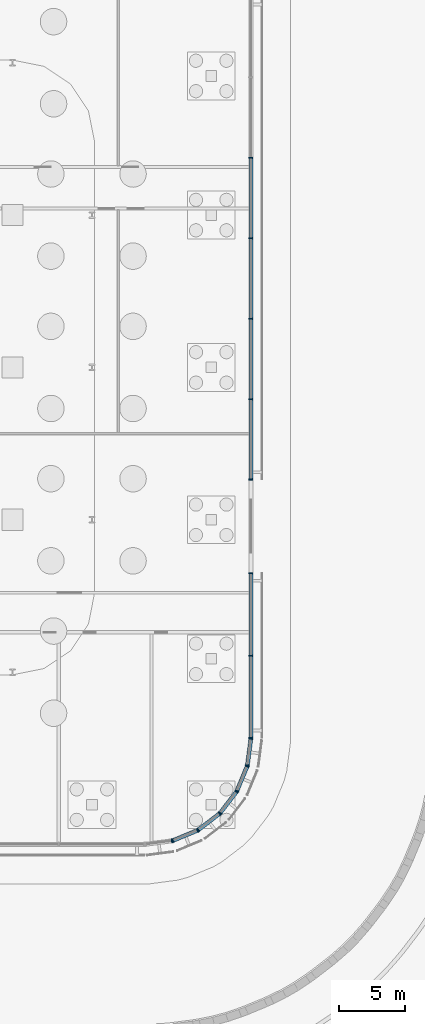
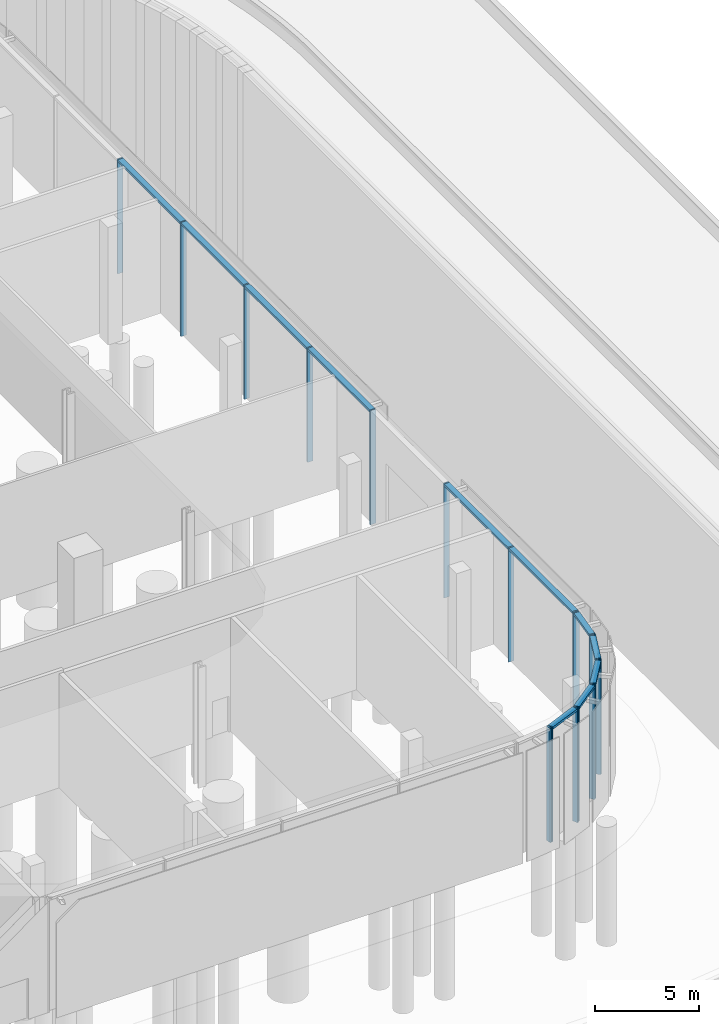
# One storey, part 12 of 48: 30 members, 8 elements without a shape of their own.
"""IFC4 building model written with IfcOpenShell, lengths in metres."""

from ifc_helpers import new_model, si_unit, direction, frame, origin, origin_2d, place, context, subcontext, project, spatial, rectangle, extrude, material, material_profile, profile_set, type_object, element, aggregate, save


model = new_model("IFC4")

# Units and contexts
model_context = context("Model", 3, precision=1e-05, world=origin(), true_north=direction((0.0, 1.0)))
body_context = subcontext(model_context, "Body", "Model", "MODEL_VIEW")
ifc_project = project(units=[si_unit("LENGTHUNIT", "METRE"), si_unit("AREAUNIT", "SQUARE_METRE"), si_unit("VOLUMEUNIT", "CUBIC_METRE"), si_unit("PLANEANGLEUNIT", "RADIAN"), si_unit("MASSUNIT", "GRAM", prefix="KILO")], contexts=[model_context])

# Site, building, storey
site_placement = place(None, origin())
site = spatial("IfcSite", under=ifc_project, at=site_placement, CompositionType="ELEMENT")
building_placement = place(site_placement, origin())
building = spatial("IfcBuilding", under=site, at=building_placement, Name="Mahtab Terrace Research Tower", CompositionType="ELEMENT")
storey_placement = place(building_placement, origin())
storey = spatial("IfcBuildingStorey", under=building, at=storey_placement, Name="G", CompositionType="ELEMENT", Elevation=0.0)

# Curtain wall, member
ifc_material_1 = material(Name="Ground lobby curtain wall")
curtain_wall_type = type_object("IfcCurtainWallType", Name="Ground lobby curtain wall", PredefinedType="NOTDEFINED", material=ifc_material_1)
curtain_wall_1_placement = place(storey_placement, origin())
curtain_wall_1 = element("IfcCurtainWall", 1, at=curtain_wall_1_placement, inside=storey, type_object=curtain_wall_type, Name="EN.G.20.0", PredefinedType="NOTDEFINED")
ifc_material_2 = material(Name="Natural anodised aluminium", Category="aluminium")
ifc_material_profile_1 = material_profile(ifc_material_2, rectangle(XDim=0.300048828125, YDim=0.080078125, at=origin_2d()), Name="MULLION 80x300")
ifc_profile_set_1 = profile_set([ifc_material_profile_1], Name="Natural anodised aluminium")
member_type_1 = type_object("IfcMemberType", Name="Ground lobby curtain wall mullion", PredefinedType="MULLION", material=ifc_profile_set_1)
member_1_placement = place(storey_placement, frame((54.03125, -35.732177734375, 0.0), z_axis=(0.0, 0.0, 1.0), x_axis=(-0.130689793992, 0.991423309059, 0.0)))
member_1 = element("IfcMember", 2, at=member_1_placement, type_object=member_type_1, Name="CWG-1 mullion 2", PredefinedType="MULLION", context=body_context, shape_type="SweptSolid", body=[
    extrude(rectangle(XDim=0.300048828125, YDim=0.080078125, at=origin_2d()), origin(), (0.0, 0.0, 1.0), 6.699951171875),
])
aggregate(curtain_wall_1, [member_1])

# Curtain wall, members
curtain_wall_2_placement = place(storey_placement, origin())
curtain_wall_2 = element("IfcCurtainWall", 3, at=curtain_wall_2_placement, inside=storey, type_object=curtain_wall_type, Name="EN.G.21.0", PredefinedType="NOTDEFINED")
member_2_placement = place(storey_placement, frame((54.10791015625, -35.711669921875, 0.0), z_axis=(0.0, 0.0, 1.0), x_axis=(-0.382676089485, 0.923882573998, 0.0)))
member_2 = element("IfcMember", 4, at=member_2_placement, type_object=member_type_1, Name="CWG-1 mullion 1", PredefinedType="MULLION", context=body_context, shape_type="SweptSolid", body=[
    extrude(rectangle(XDim=0.300048828125, YDim=0.080078125, at=origin_2d()), origin(), (0.0, 0.0, 1.0), 6.699951171875),
])
member_3_placement = place(storey_placement, frame((55.963134765625, -34.943359375, 0.0), z_axis=(0.0, 0.0, 1.0), x_axis=(-0.382676089485, 0.923882573998, 0.0)))
member_3 = element("IfcMember", 5, at=member_3_placement, type_object=member_type_1, Name="CWG-1 mullion 2", PredefinedType="MULLION", context=body_context, shape_type="SweptSolid", body=[
    extrude(rectangle(XDim=0.300048828125, YDim=0.080078125, at=origin_2d()), origin(), (0.0, 0.0, 1.0), 6.699951171875),
])

curtain_wall_3_placement = place(storey_placement, origin())
curtain_wall_3 = element("IfcCurtainWall", 6, at=curtain_wall_3_placement, inside=storey, type_object=curtain_wall_type, Name="EN.G.22.0", PredefinedType="NOTDEFINED")
member_4_placement = place(storey_placement, frame((56.03173828125, -34.903564453125, 0.0), z_axis=(0.0, 0.0, 1.0), x_axis=(-0.60862253119, 0.793459901021, 0.0)))
member_4 = element("IfcMember", 7, at=member_4_placement, type_object=member_type_1, Name="CWG-1 mullion 1", PredefinedType="MULLION", context=body_context, shape_type="SweptSolid", body=[
    extrude(rectangle(XDim=0.300048828125, YDim=0.080078125, at=origin_2d()), origin(), (0.0, 0.0, 1.0), 6.699951171875),
])
member_5_placement = place(storey_placement, frame((57.625244140625, -33.681396484375, 0.0), z_axis=(0.0, 0.0, 1.0), x_axis=(-0.60862253119, 0.793459901021, 0.0)))
member_5 = element("IfcMember", 8, at=member_5_placement, type_object=member_type_1, Name="CWG-1 mullion 2", PredefinedType="MULLION", context=body_context, shape_type="SweptSolid", body=[
    extrude(rectangle(XDim=0.300048828125, YDim=0.080078125, at=origin_2d()), origin(), (0.0, 0.0, 1.0), 6.699951171875),
])

curtain_wall_4_placement = place(storey_placement, origin())
curtain_wall_4 = element("IfcCurtainWall", 9, at=curtain_wall_4_placement, inside=storey, type_object=curtain_wall_type, Name="EN.G.23.0", PredefinedType="NOTDEFINED")
member_6_placement = place(storey_placement, frame((57.681396484375, -33.625244140625, 0.0), z_axis=(0.0, 0.0, 1.0), x_axis=(-0.793459901021, 0.60862253119, 0.0)))
member_6 = element("IfcMember", 10, at=member_6_placement, type_object=member_type_1, Name="CWG-1 mullion 1", PredefinedType="MULLION", context=body_context, shape_type="SweptSolid", body=[
    extrude(rectangle(XDim=0.300048828125, YDim=0.080078125, at=origin_2d()), origin(), (0.0, 0.0, 1.0), 6.699951171875),
])
member_7_placement = place(storey_placement, frame((58.903564453125, -32.03173828125, 0.0), z_axis=(0.0, 0.0, 1.0), x_axis=(-0.793459901021, 0.60862253119, 0.0)))
member_7 = element("IfcMember", 11, at=member_7_placement, type_object=member_type_1, Name="CWG-1 mullion 2", PredefinedType="MULLION", context=body_context, shape_type="SweptSolid", body=[
    extrude(rectangle(XDim=0.300048828125, YDim=0.080078125, at=origin_2d()), origin(), (0.0, 0.0, 1.0), 6.699951171875),
])

curtain_wall_5_placement = place(storey_placement, origin())
curtain_wall_5 = element("IfcCurtainWall", 12, at=curtain_wall_5_placement, inside=storey, type_object=curtain_wall_type, Name="EN.G.24.0", PredefinedType="NOTDEFINED")
member_8_placement = place(storey_placement, frame((58.943359375, -31.963134765625, 0.0), z_axis=(0.0, 0.0, 1.0), x_axis=(-0.923882573998, 0.382676089485, 0.0)))
member_8 = element("IfcMember", 13, at=member_8_placement, type_object=member_type_1, Name="CWG-1 mullion 1", PredefinedType="MULLION", context=body_context, shape_type="SweptSolid", body=[
    extrude(rectangle(XDim=0.300048828125, YDim=0.080078125, at=origin_2d()), origin(), (0.0, 0.0, 1.0), 6.699951171875),
])
member_9_placement = place(storey_placement, frame((59.711669921875, -30.10791015625, 0.0), z_axis=(0.0, 0.0, 1.0), x_axis=(-0.923882573998, 0.382676089485, 0.0)))
member_9 = element("IfcMember", 14, at=member_9_placement, type_object=member_type_1, Name="CWG-1 mullion 2", PredefinedType="MULLION", context=body_context, shape_type="SweptSolid", body=[
    extrude(rectangle(XDim=0.300048828125, YDim=0.080078125, at=origin_2d()), origin(), (0.0, 0.0, 1.0), 6.699951171875),
])

curtain_wall_6_placement = place(storey_placement, origin())
curtain_wall_6 = element("IfcCurtainWall", 15, at=curtain_wall_6_placement, inside=storey, type_object=curtain_wall_type, Name="EN.G.25.0", PredefinedType="NOTDEFINED")
member_10_placement = place(storey_placement, frame((59.732177734375, -30.03125, 0.0), z_axis=(0.0, 0.0, 1.0), x_axis=(-0.991423309059, 0.130689793992, 0.0)))
member_10 = element("IfcMember", 16, at=member_10_placement, type_object=member_type_1, Name="CWG-1 mullion 1", PredefinedType="MULLION", context=body_context, shape_type="SweptSolid", body=[
    extrude(rectangle(XDim=0.300048828125, YDim=0.080078125, at=origin_2d()), origin(), (0.0, 0.0, 1.0), 6.699951171875),
])
member_11_placement = place(storey_placement, frame((59.994873046875, -28.03955078125, 0.0), z_axis=(0.0, 0.0, 1.0), x_axis=(-0.991423309059, 0.130689793992, 0.0)))
member_11 = element("IfcMember", 17, at=member_11_placement, type_object=member_type_1, Name="CWG-1 mullion 2", PredefinedType="MULLION", context=body_context, shape_type="SweptSolid", body=[
    extrude(rectangle(XDim=0.300048828125, YDim=0.080078125, at=origin_2d()), origin(), (0.0, 0.0, 1.0), 6.699951171875),
])

curtain_wall_7_placement = place(storey_placement, origin())
curtain_wall_7 = element("IfcCurtainWall", 18, at=curtain_wall_7_placement, inside=storey, type_object=curtain_wall_type, Name="EN.G.26.0", PredefinedType="NOTDEFINED")
member_12_placement = place(storey_placement, frame((60.0, -27.9599609375, 0.0), z_axis=(0.0, 0.0, 1.0), x_axis=(-1.0, 0.0, 0.0)))
member_12 = element("IfcMember", 19, at=member_12_placement, type_object=member_type_1, Name="CWG-1 mullion 1", PredefinedType="MULLION", context=body_context, shape_type="SweptSolid", body=[
    extrude(rectangle(XDim=0.300048828125, YDim=0.080078125, at=origin_2d()), origin(), (0.0, 0.0, 1.0), 6.699951171875),
])
member_13_placement = place(storey_placement, frame((60.0, -21.75, 0.0), z_axis=(0.0, 0.0, 1.0), x_axis=(-1.0, 0.0, 0.0)))
member_13 = element("IfcMember", 20, at=member_13_placement, type_object=member_type_1, Name="CWG-1 mullion 2", PredefinedType="MULLION", context=body_context, shape_type="SweptSolid", body=[
    extrude(rectangle(XDim=0.300048828125, YDim=0.080078125, at=origin_2d()), origin(), (0.0, 0.0, 1.0), 6.699951171875),
])
member_14_placement = place(storey_placement, frame((60.0, -15.5400390625, 0.0), z_axis=(0.0, 0.0, 1.0), x_axis=(-1.0, 0.0, 0.0)))
member_14 = element("IfcMember", 21, at=member_14_placement, type_object=member_type_1, Name="CWG-1 mullion 3", PredefinedType="MULLION", context=body_context, shape_type="SweptSolid", body=[
    extrude(rectangle(XDim=0.300048828125, YDim=0.080078125, at=origin_2d()), origin(), (0.0, 0.0, 1.0), 6.699951171875),
])

curtain_wall_8_placement = place(storey_placement, origin())
curtain_wall_8 = element("IfcCurtainWall", 22, at=curtain_wall_8_placement, inside=storey, type_object=curtain_wall_type, Name="EN.G.26.2", PredefinedType="NOTDEFINED")
member_15_placement = place(storey_placement, frame((60.0, -8.4599609375, 0.0), z_axis=(0.0, 0.0, 1.0), x_axis=(-1.0, 0.0, 0.0)))
member_15 = element("IfcMember", 23, at=member_15_placement, type_object=member_type_1, Name="CWG-1 mullion 1", PredefinedType="MULLION", context=body_context, shape_type="SweptSolid", body=[
    extrude(rectangle(XDim=0.300048828125, YDim=0.080078125, at=origin_2d()), origin(), (0.0, 0.0, 1.0), 6.699951171875),
])
member_16_placement = place(storey_placement, frame((60.0, -2.416748046875, 0.0), z_axis=(0.0, 0.0, 1.0), x_axis=(-1.0, 0.0, 0.0)))
member_16 = element("IfcMember", 24, at=member_16_placement, type_object=member_type_1, Name="CWG-1 mullion 2", PredefinedType="MULLION", context=body_context, shape_type="SweptSolid", body=[
    extrude(rectangle(XDim=0.300048828125, YDim=0.080078125, at=origin_2d()), origin(), (0.0, 0.0, 1.0), 6.699951171875),
])
member_17_placement = place(storey_placement, frame((60.0, 3.666748046875, 0.0), z_axis=(0.0, 0.0, 1.0), x_axis=(-1.0, 0.0, 0.0)))
member_17 = element("IfcMember", 25, at=member_17_placement, type_object=member_type_1, Name="CWG-1 mullion 3", PredefinedType="MULLION", context=body_context, shape_type="SweptSolid", body=[
    extrude(rectangle(XDim=0.300048828125, YDim=0.080078125, at=origin_2d()), origin(), (0.0, 0.0, 1.0), 6.699951171875),
])
member_18_placement = place(storey_placement, frame((60.0, 9.75, 0.0), z_axis=(0.0, 0.0, 1.0), x_axis=(-1.0, 0.0, 0.0)))
member_18 = element("IfcMember", 26, at=member_18_placement, type_object=member_type_1, Name="CWG-1 mullion 4", PredefinedType="MULLION", context=body_context, shape_type="SweptSolid", body=[
    extrude(rectangle(XDim=0.300048828125, YDim=0.080078125, at=origin_2d()), origin(), (0.0, 0.0, 1.0), 6.699951171875),
])
member_19_placement = place(storey_placement, frame((60.0, 15.833251953125, 0.0), z_axis=(0.0, 0.0, 1.0), x_axis=(-1.0, 0.0, 0.0)))
member_19 = element("IfcMember", 27, at=member_19_placement, type_object=member_type_1, Name="CWG-1 mullion 5", PredefinedType="MULLION", context=body_context, shape_type="SweptSolid", body=[
    extrude(rectangle(XDim=0.300048828125, YDim=0.080078125, at=origin_2d()), origin(), (0.0, 0.0, 1.0), 6.699951171875),
])

# Member
ifc_material_profile_2 = material_profile(ifc_material_2, rectangle(XDim=0.300048828125, YDim=0.139892578125, at=origin_2d()), Name="TRANSOM 140x300")
ifc_profile_set_2 = profile_set([ifc_material_profile_2], Name="Natural anodised aluminium")
member_type_2 = type_object("IfcMemberType", Name="Ground lobby curtain wall transom", PredefinedType="USERDEFINED", material=ifc_profile_set_2)
member_20_placement = place(storey_placement, frame((54.14501953125, -35.6962890625, 6.6298828125), z_axis=(0.923865559204, 0.38271716517, 0.0), x_axis=(-0.38271716517, 0.923865559204, 0.0)))
member_20 = element("IfcMember", 28, at=member_20_placement, type_object=member_type_2, Name="CWG-1 transom 1", ObjectType="TRANSOM", PredefinedType="USERDEFINED", context=body_context, shape_type="SweptSolid", body=[
    extrude(rectangle(XDim=0.300048828125, YDim=0.139892578125, at=origin_2d()), origin(), (0.0, 0.0, 1.0), 1.927734375),
])

aggregate(curtain_wall_2, [member_2, member_3, member_20])

member_21_placement = place(storey_placement, frame((56.0634765625, -34.87939453125, 6.6298828125), z_axis=(0.793465731081, 0.608614930478, 0.0), x_axis=(-0.608614930478, 0.793465731081, 0.0)))
member_21 = element("IfcMember", 29, at=member_21_placement, type_object=member_type_2, Name="CWG-1 transom 1", ObjectType="TRANSOM", PredefinedType="USERDEFINED", context=body_context, shape_type="SweptSolid", body=[
    extrude(rectangle(XDim=0.300048828125, YDim=0.139892578125, at=origin_2d()), origin(), (0.0, 0.0, 1.0), 1.92822265625),
])

aggregate(curtain_wall_3, [member_4, member_5, member_21])

member_22_placement = place(storey_placement, frame((57.705810546875, -33.593505859375, 6.6298828125), z_axis=(0.608614930478, 0.793465731081, 0.0), x_axis=(-0.793465731081, 0.608614930478, 0.0)))
member_22 = element("IfcMember", 30, at=member_22_placement, type_object=member_type_2, Name="CWG-1 transom 1", ObjectType="TRANSOM", PredefinedType="USERDEFINED", context=body_context, shape_type="SweptSolid", body=[
    extrude(rectangle(XDim=0.300048828125, YDim=0.139892578125, at=origin_2d()), origin(), (0.0, 0.0, 1.0), 1.92822265625),
])

aggregate(curtain_wall_4, [member_6, member_7, member_22])

member_23_placement = place(storey_placement, frame((58.95849609375, -31.926025390625, 6.6298828125), z_axis=(0.38271716517, 0.923865559204, 0.0), x_axis=(-0.923865559204, 0.38271716517, 0.0)))
member_23 = element("IfcMember", 31, at=member_23_placement, type_object=member_type_2, Name="CWG-1 transom 1", ObjectType="TRANSOM", PredefinedType="USERDEFINED", context=body_context, shape_type="SweptSolid", body=[
    extrude(rectangle(XDim=0.300048828125, YDim=0.139892578125, at=origin_2d()), origin(), (0.0, 0.0, 1.0), 1.927734375),
])

aggregate(curtain_wall_5, [member_8, member_9, member_23])

member_24_placement = place(storey_placement, frame((59.737548828125, -29.99169921875, 6.6298828125), z_axis=(0.130621491668, 0.991432310304, 0.0), x_axis=(-0.991432310304, 0.130621491668, 0.0)))
member_24 = element("IfcMember", 32, at=member_24_placement, type_object=member_type_2, Name="CWG-1 transom 1", ObjectType="TRANSOM", PredefinedType="USERDEFINED", context=body_context, shape_type="SweptSolid", body=[
    extrude(rectangle(XDim=0.300048828125, YDim=0.139892578125, at=origin_2d()), origin(), (0.0, 0.0, 1.0), 1.928955078125),
])

aggregate(curtain_wall_6, [member_10, member_11, member_24])

member_25_placement = place(storey_placement, frame((60.0, -27.919921875, 6.6298828125), z_axis=(0.0, 1.0, 0.0), x_axis=(-1.0, 0.0, 0.0)))
member_25 = element("IfcMember", 33, at=member_25_placement, type_object=member_type_2, Name="CWG-1 transom 1", ObjectType="TRANSOM", PredefinedType="USERDEFINED", context=body_context, shape_type="SweptSolid", body=[
    extrude(rectangle(XDim=0.300048828125, YDim=0.139892578125, at=origin_2d()), origin(), (0.0, 0.0, 1.0), 6.1298828125),
])

member_26_placement = place(storey_placement, frame((60.0, -21.7099609375, 6.6298828125), z_axis=(0.0, 1.0, 0.0), x_axis=(-1.0, 0.0, 0.0)))
member_26 = element("IfcMember", 34, at=member_26_placement, type_object=member_type_2, Name="CWG-1 transom 2", ObjectType="TRANSOM", PredefinedType="USERDEFINED", context=body_context, shape_type="SweptSolid", body=[
    extrude(rectangle(XDim=0.300048828125, YDim=0.139892578125, at=origin_2d()), origin(), (0.0, 0.0, 1.0), 6.1298828125),
])

aggregate(curtain_wall_7, [member_12, member_13, member_14, member_25, member_26])

member_27_placement = place(storey_placement, frame((60.0, -8.419921875, 6.6298828125), z_axis=(0.0, 1.0, 0.0), x_axis=(-1.0, 0.0, 0.0)))
member_27 = element("IfcMember", 35, at=member_27_placement, type_object=member_type_2, Name="CWG-1 transom 1", ObjectType="TRANSOM", PredefinedType="USERDEFINED", context=body_context, shape_type="SweptSolid", body=[
    extrude(rectangle(XDim=0.300048828125, YDim=0.139892578125, at=origin_2d()), origin(), (0.0, 0.0, 1.0), 5.963134765625),
])

member_28_placement = place(storey_placement, frame((60.0, -2.376708984375, 6.6298828125), z_axis=(0.0, 1.0, 0.0), x_axis=(-1.0, 0.0, 0.0)))
member_28 = element("IfcMember", 36, at=member_28_placement, type_object=member_type_2, Name="CWG-1 transom 2", ObjectType="TRANSOM", PredefinedType="USERDEFINED", context=body_context, shape_type="SweptSolid", body=[
    extrude(rectangle(XDim=0.300048828125, YDim=0.139892578125, at=origin_2d()), origin(), (0.0, 0.0, 1.0), 6.00341796875),
])

member_29_placement = place(storey_placement, frame((60.0, 3.706787109375, 6.6298828125), z_axis=(0.0, 1.0, 0.0), x_axis=(-1.0, 0.0, 0.0)))
member_29 = element("IfcMember", 37, at=member_29_placement, type_object=member_type_2, Name="CWG-1 transom 3", ObjectType="TRANSOM", PredefinedType="USERDEFINED", context=body_context, shape_type="SweptSolid", body=[
    extrude(rectangle(XDim=0.300048828125, YDim=0.139892578125, at=origin_2d()), origin(), (0.0, 0.0, 1.0), 6.003173828125),
])

member_30_placement = place(storey_placement, frame((60.0, 9.7900390625, 6.6298828125), z_axis=(0.0, 1.0, 0.0), x_axis=(-1.0, 0.0, 0.0)))
member_30 = element("IfcMember", 38, at=member_30_placement, type_object=member_type_2, Name="CWG-1 transom 4", ObjectType="TRANSOM", PredefinedType="USERDEFINED", context=body_context, shape_type="SweptSolid", body=[
    extrude(rectangle(XDim=0.300048828125, YDim=0.139892578125, at=origin_2d()), origin(), (0.0, 0.0, 1.0), 6.003173828125),
])

aggregate(curtain_wall_8, [member_15, member_16, member_17, member_18, member_19, member_27, member_28, member_29, member_30])

save(model, "model.ifc")
